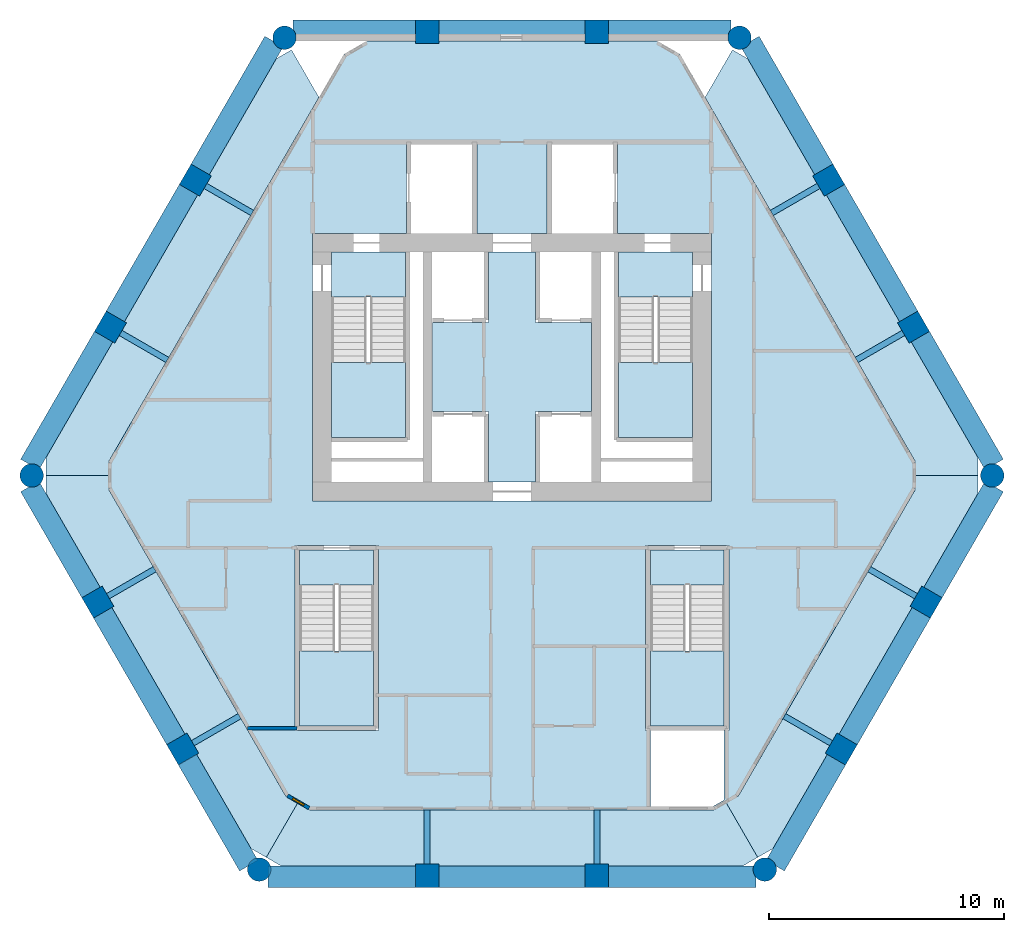
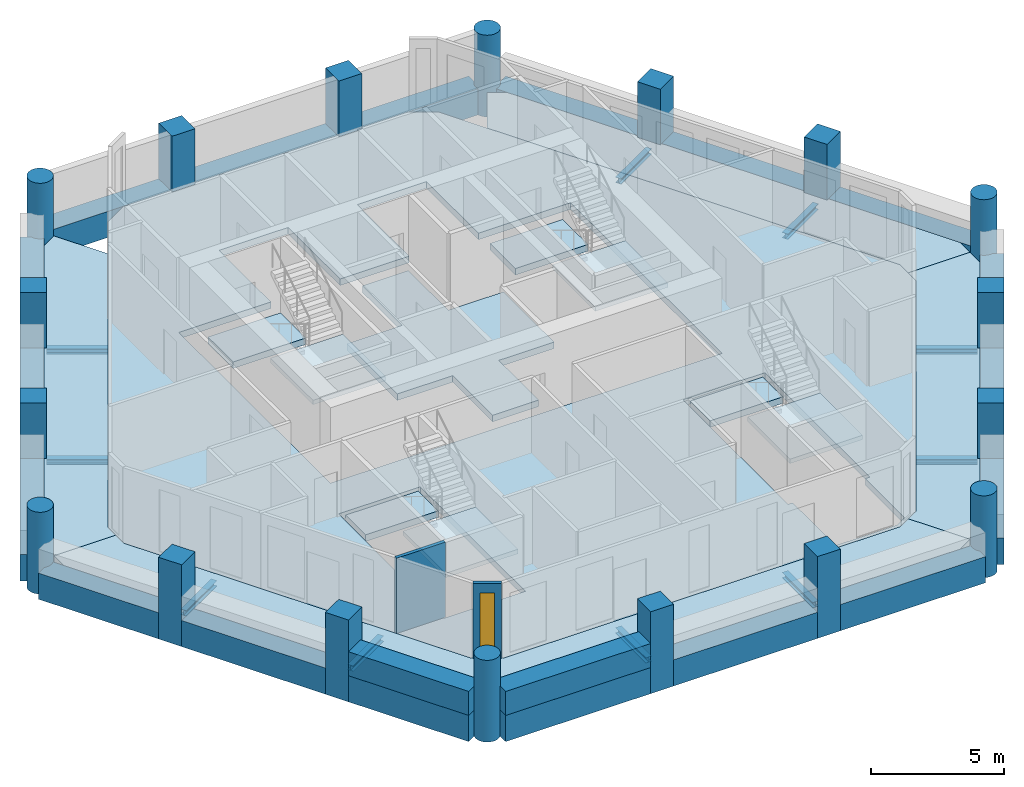
# One storey, part 1 of 7: 28 beams, 18 columns, 15 slabs, 4 walls, 1 window, 1 opening, 4 elements without a shape of their own.
"""IFC4 building model written with IfcOpenShell, lengths in metres."""

from ifc_helpers import new_model, si_unit, direction, frame, frame_2d, origin, origin_2d, place, context, subcontext, project, spatial, polyline, rectangle, circle, i_section, outline, extrude, material, layer, layer_set, material_profile, profile_set, type_object, element, fill, aggregate, save


model = new_model("IFC4")

# Units and contexts
model_context = context("Model", 3, precision=1e-05, world=origin(), true_north=direction((0.0, 1.0)))
body_context = subcontext(model_context, "Body", "Model", "MODEL_VIEW")
ifc_project = project(units=[si_unit("LENGTHUNIT", "METRE"), si_unit("AREAUNIT", "SQUARE_METRE"), si_unit("VOLUMEUNIT", "CUBIC_METRE"), si_unit("PLANEANGLEUNIT", "RADIAN"), si_unit("MASSUNIT", "GRAM", prefix="KILO")], contexts=[model_context])

# Site, building, storey
site_placement = place(None, origin())
site = spatial("IfcSite", under=ifc_project, at=site_placement, CompositionType="ELEMENT")
building_placement = place(site_placement, origin())
building = spatial("IfcBuilding", under=site, at=building_placement, Name="Ostrander Bayou Hotel Tower", CompositionType="ELEMENT")
storey_placement = place(building_placement, frame((0.0, 0.0, 179.5)))
storey = spatial("IfcBuildingStorey", under=building, at=storey_placement, Name="L44", CompositionType="ELEMENT", Elevation=179.5)

# Columns
ifc_material_1 = material(Name="Concrete f'c 60 MPa", Category="concrete")
ifc_material_profile_1 = material_profile(ifc_material_1, circle(Radius=0.5, at=origin_2d()))
ifc_profile_set_1 = profile_set([ifc_material_profile_1], Name="Concrete f'c 60 MPa")
column_type_1 = type_object("IfcColumnType", Name="C5 round column 1000 mm f'c 60 MPa", PredefinedType="COLUMN", material=ifc_profile_set_1)
for number, where, z_axis, x_axis, name in (
    (1, (-9.700439453125, 18.04541015625, -1.199951171875), (0.0, 0.0, 1.0), (1.0, 0.0, 0.0), "C5 L44 K0"),
    (2, (-20.47802734375, -0.621826171875, -1.199951171875), (0.0, 0.0, 1.0), (1.0, 0.0, 0.0), "C5 L44 K1"),
    (3, (-10.777587890625, -17.423583984375, -1.199951171875), (0.0, 0.0, 1.0), (1.0, 0.0, 0.0), "C5 L44 K2"),
    (4, (10.777587890625, -17.423583984375, -1.199951171875), (0.0, 0.0, 1.0), (1.0, 0.0, 0.0), "C5 L44 K3"),
    (5, (20.47802734375, -0.621826171875, -1.199951171875), (0.0, 0.0, 1.0), (1.0, 0.0, 0.0), "C5 L44 K4"),
    (6, (9.700439453125, 18.04541015625, -1.199951171875), (0.0, 0.0, 1.0), (1.0, 0.0, 0.0), "C5 L44 K5"),
):
    element("IfcColumn", number, at=place(storey_placement, frame(where, z_axis=z_axis, x_axis=x_axis)), inside=storey, type_object=column_type_1, Name=name, PredefinedType="COLUMN", context=body_context, shape_type="SweptSolid", body=[
        extrude(circle(Radius=0.5, at=origin_2d()), origin(), (0.0, 0.0, 1.0), 3.75),
    ])
ifc_material_2 = material(Name="Concrete f'c 60 MPa", Category="concrete")
ifc_material_profile_2 = material_profile(ifc_material_2, rectangle(XDim=1.0, YDim=1.0, at=origin_2d()))
ifc_profile_set_2 = profile_set([ifc_material_profile_2], Name="Concrete f'c 60 MPa")
column_type_2 = type_object("IfcColumnType", Name="C6 square column 1000 x 1000 mm f'c 60 MPa", PredefinedType="COLUMN", material=ifc_profile_set_2)
for number, where, z_axis, x_axis, name in (
    (7, (3.6181640625, 18.300048828125, -1.199951171875), (0.0, 0.0, 1.0), (1.0, 0.0, 0.0), "C6 L44 N1"),
    (8, (-3.6181640625, 18.300048828125, -1.199951171875), (0.0, 0.0, 1.0), (1.0, 0.0, 0.0), "C6 L44 N2"),
    (9, (-13.500732421875, 11.972412109375, -1.199951171875), (0.0, 0.0, 1.0), (0.5, 0.866025403784, 0.0), "C6 L44 NW1"),
    (10, (-17.11865234375, 5.705810546875, -1.199951171875), (0.0, 0.0, 1.0), (0.5, 0.866025403784, 0.0), "C6 L44 NW2"),
    (11, (-17.6572265625, -6.0166015625, -1.199951171875), (0.0, 0.0, 1.0), (-0.5, 0.866025403784, 0.0), "C6 L44 SW1"),
    (12, (-14.039306640625, -12.283203125, -1.199951171875), (0.0, 0.0, 1.0), (-0.5, 0.866025403784, 0.0), "C6 L44 SW2"),
    (13, (-3.6181640625, -17.677978515625, -1.199951171875), (0.0, 0.0, 1.0), (-1.0, 0.0, 0.0), "C6 L44 S1"),
    (14, (3.6181640625, -17.677978515625, -1.199951171875), (0.0, 0.0, 1.0), (-1.0, 0.0, 0.0), "C6 L44 S2"),
    (15, (14.039306640625, -12.283203125, -1.199951171875), (0.0, 0.0, 1.0), (-0.5, -0.866025403784, 0.0), "C6 L44 SE1"),
    (16, (17.6572265625, -6.0166015625, -1.199951171875), (0.0, 0.0, 1.0), (-0.5, -0.866025403784, 0.0), "C6 L44 SE2"),
    (17, (17.11865234375, 5.705810546875, -1.199951171875), (0.0, 0.0, 1.0), (0.5, -0.866025403784, 0.0), "C6 L44 NE1"),
    (18, (13.500732421875, 11.972412109375, -1.199951171875), (0.0, 0.0, 1.0), (0.5, -0.866025403784, 0.0), "C6 L44 NE2"),
):
    element("IfcColumn", number, at=place(storey_placement, frame(where, z_axis=z_axis, x_axis=x_axis)), inside=storey, type_object=column_type_2, Name=name, PredefinedType="COLUMN", context=body_context, shape_type="SweptSolid", body=[
        extrude(rectangle(XDim=1.0, YDim=1.0, at=origin_2d()), origin(), (0.0, 0.0, 1.0), 3.75),
    ])

# Beams
ifc_material_3 = material(Name="Steel ASTM A992", Category="steel")
ifc_material_profile_3 = material_profile(ifc_material_3, i_section(OverallWidth=0.25390625, OverallDepth=0.25341796875, WebThickness=0.008544921875, FlangeThickness=0.01416015625, at=origin_2d()))
ifc_profile_set_3 = profile_set([ifc_material_profile_3], Name="Steel ASTM A992")
beam_type_1 = type_object("IfcBeamType", Name="LB2 loggia bracket W10x49", PredefinedType="BEAM", material=ifc_profile_set_3)
for number, where, z_axis, x_axis, name in (
    (19, (-13.067626953125, 11.722412109375, -0.4267578125), (0.866053019151, -0.499952165731, 0.0), (0.499952165731, 0.866053019151, 0.0), "LB2 L44 NW1"),
    (20, (-16.685791015625, 5.455810546875, -0.4267578125), (0.866007057882, -0.500031774688, 0.0), (0.500031774688, 0.866007057882, 0.0), "LB2 L44 NW2"),
    (21, (-17.224365234375, -5.7666015625, -0.4267578125), (0.866053019151, 0.499952165731, 0.0), (-0.499952165731, 0.866053019151, 0.0), "LB2 L44 SW1"),
):
    element("IfcBeam", number, at=place(storey_placement, frame(where, z_axis=z_axis, x_axis=x_axis)), inside=storey, type_object=beam_type_1, Name=name, PredefinedType="BEAM", context=body_context, shape_type="SweptSolid", body=[
        extrude(i_section(OverallWidth=0.25390625, OverallDepth=0.25341796875, WebThickness=0.008544921875, FlangeThickness=0.01416015625, at=origin_2d()), origin(), (0.0, 0.0, 1.0), 2.300048828125),
    ])
for number, where, z_axis, x_axis, name in (
    (22, (-13.606201171875, -12.033203125, -0.4267578125), (0.86602648383, 0.499998129301, 0.0), (-0.499998129301, 0.86602648383, 0.0), "LB2 L44 SW2"),
    (23, (-3.6181640625, -17.177978515625, -0.4267578125), (0.0, 1.0, 0.0), (-1.0, 0.0, 0.0), "LB2 L44 S1"),
    (24, (3.6181640625, -17.177978515625, -0.4267578125), (0.0, 1.0, 0.0), (-1.0, 0.0, 0.0), "LB2 L44 S2"),
    (25, (13.606201171875, -12.033203125, -0.4267578125), (-0.86602648383, 0.499998129301, 0.0), (-0.499998129301, -0.86602648383, 0.0), "LB2 L44 SE1"),
):
    element("IfcBeam", number, at=place(storey_placement, frame(where, z_axis=z_axis, x_axis=x_axis)), inside=storey, type_object=beam_type_1, Name=name, PredefinedType="BEAM", context=body_context, shape_type="SweptSolid", body=[
        extrude(i_section(OverallWidth=0.25390625, OverallDepth=0.25341796875, WebThickness=0.008544921875, FlangeThickness=0.01416015625, at=origin_2d()), origin(), (0.0, 0.0, 1.0), 2.2998046875),
    ])
for number, where, z_axis, x_axis, name in (
    (26, (17.224365234375, -5.7666015625, -0.4267578125), (-0.866053019151, 0.499952165731, 0.0), (-0.499952165731, -0.866053019151, 0.0), "LB2 L44 SE2"),
    (27, (16.685791015625, 5.455810546875, -0.4267578125), (-0.866007057882, -0.500031774688, 0.0), (0.500031774688, -0.866007057882, 0.0), "LB2 L44 NE1"),
    (28, (13.067626953125, 11.722412109375, -0.4267578125), (-0.866053019151, -0.499952165731, 0.0), (0.499952165731, -0.866053019151, 0.0), "LB2 L44 NE2"),
):
    element("IfcBeam", number, at=place(storey_placement, frame(where, z_axis=z_axis, x_axis=x_axis)), inside=storey, type_object=beam_type_1, Name=name, PredefinedType="BEAM", context=body_context, shape_type="SweptSolid", body=[
        extrude(i_section(OverallWidth=0.25390625, OverallDepth=0.25341796875, WebThickness=0.008544921875, FlangeThickness=0.01416015625, at=origin_2d()), origin(), (0.0, 0.0, 1.0), 2.300048828125),
    ])
ifc_material_4 = material(Name="Concrete f'c 60 MPa", Category="concrete")
ifc_material_profile_4 = material_profile(ifc_material_4, rectangle(XDim=0.89990234375, YDim=1.199951171875, at=origin_2d()))
ifc_profile_set_4 = profile_set([ifc_material_profile_4], Name="Concrete f'c 60 MPa")
beam_type_2 = type_object("IfcBeamType", Name="SP3 spandrel beam 900 x 1200 mm f'c 60 MPa", PredefinedType="SPANDREL", material=ifc_profile_set_4)
beam_1_placement = place(storey_placement, frame((9.333984375, 18.35009765625, -0.60009765625), z_axis=(-1.0, 0.0, 0.0), x_axis=(0.0, -1.0, 0.0)))
element("IfcBeam", 29, at=beam_1_placement, inside=storey, type_object=beam_type_2, Name="SP3 L44 N-1", PredefinedType="SPANDREL", context=body_context, shape_type="SweptSolid", body=[
    extrude(rectangle(XDim=0.89990234375, YDim=1.199951171875, at=origin_2d()), origin(), (0.0, 0.0, 1.0), 5.245849609375),
])
beam_2_placement = place(storey_placement, frame((3.148193359375, 18.35009765625, -0.60009765625), z_axis=(-1.0, 0.0, 0.0), x_axis=(0.0, -1.0, 0.0)))
element("IfcBeam", 30, at=beam_2_placement, inside=storey, type_object=beam_type_2, Name="SP3 L44 N-2", PredefinedType="SPANDREL", context=body_context, shape_type="SweptSolid", body=[
    extrude(rectangle(XDim=0.89990234375, YDim=1.199951171875, at=origin_2d()), origin(), (0.0, 0.0, 1.0), 6.29638671875),
])
beam_3_placement = place(storey_placement, frame((-4.088134765625, 18.35009765625, -0.60009765625), z_axis=(-1.0, 0.0, 0.0), x_axis=(0.0, -1.0, 0.0)))
element("IfcBeam", 31, at=beam_3_placement, inside=storey, type_object=beam_type_2, Name="SP3 L44 N-3", PredefinedType="SPANDREL", context=body_context, shape_type="SweptSolid", body=[
    extrude(rectangle(XDim=0.89990234375, YDim=1.199951171875, at=origin_2d()), origin(), (0.0, 0.0, 1.0), 5.245849609375),
])
beam_4_placement = place(storey_placement, frame((-10.1474609375, 17.88037109375, -0.60009765625), z_axis=(-0.500000968981, -0.866024844342, 0.0), x_axis=(0.866024844342, -0.500000968981, 0.0)))
element("IfcBeam", 32, at=beam_4_placement, inside=storey, type_object=beam_type_2, Name="SP3 L44 NW-1", PredefinedType="SPANDREL", context=body_context, shape_type="SweptSolid", body=[
    extrude(rectangle(XDim=0.89990234375, YDim=1.199951171875, at=origin_2d()), origin(), (0.0, 0.0, 1.0), 6.3232421875),
])
beam_5_placement = place(storey_placement, frame((-13.779052734375, 11.59033203125, -0.60009765625), z_axis=(-0.499984268907, -0.866034485945, 0.0), x_axis=(0.866034485945, -0.499984268907, 0.0)))
element("IfcBeam", 33, at=beam_5_placement, inside=storey, type_object=beam_type_2, Name="SP3 L44 NW-2", PredefinedType="SPANDREL", context=body_context, shape_type="SweptSolid", body=[
    extrude(rectangle(XDim=0.89990234375, YDim=1.199951171875, at=origin_2d()), origin(), (0.0, 0.0, 1.0), 6.296142578125),
])
beam_6_placement = place(storey_placement, frame((-17.39697265625, 5.32373046875, -0.60009765625), z_axis=(-0.500017688138, -0.866015191293, 0.0), x_axis=(0.866015191293, -0.500017688138, 0.0)))
element("IfcBeam", 34, at=beam_6_placement, inside=storey, type_object=beam_type_2, Name="SP3 L44 NW-3", PredefinedType="SPANDREL", context=body_context, shape_type="SweptSolid", body=[
    extrude(rectangle(XDim=0.89990234375, YDim=1.199951171875, at=origin_2d()), origin(), (0.0, 0.0, 1.0), 6.322998046875),
])
beam_7_placement = place(storey_placement, frame((-20.55859375, -1.091552734375, -0.60009765625), z_axis=(0.500023253097, -0.866011978186, 0.0), x_axis=(0.866011978186, 0.500023253097, 0.0)))
element("IfcBeam", 35, at=beam_7_placement, inside=storey, type_object=beam_type_2, Name="SP3 L44 SW-1", PredefinedType="SPANDREL", context=body_context, shape_type="SweptSolid", body=[
    extrude(rectangle(XDim=0.89990234375, YDim=1.199951171875, at=origin_2d()), origin(), (0.0, 0.0, 1.0), 5.245849609375),
])
beam_8_placement = place(storey_placement, frame((-17.465576171875, -6.44873046875, -0.60009765625), z_axis=(0.500013351051, -0.866017695414, 0.0), x_axis=(0.866017695414, 0.500013351051, 0.0)))
element("IfcBeam", 36, at=beam_8_placement, inside=storey, type_object=beam_type_2, Name="SP3 L44 SW-2", PredefinedType="SPANDREL", context=body_context, shape_type="SweptSolid", body=[
    extrude(rectangle(XDim=0.89990234375, YDim=1.199951171875, at=origin_2d()), origin(), (0.0, 0.0, 1.0), 6.296142578125),
])
beam_9_placement = place(storey_placement, frame((-13.847412109375, -12.71533203125, -0.60009765625), z_axis=(0.499988348136, -0.866032130887, 0.0), x_axis=(0.866032130887, 0.499988348136, 0.0)))
element("IfcBeam", 37, at=beam_9_placement, inside=storey, type_object=beam_type_2, Name="SP3 L44 SW-3", PredefinedType="SPANDREL", context=body_context, shape_type="SweptSolid", body=[
    extrude(rectangle(XDim=0.89990234375, YDim=1.199951171875, at=origin_2d()), origin(), (0.0, 0.0, 1.0), 5.245849609375),
])
beam_10_placement = place(storey_placement, frame((-10.410888671875, -17.72802734375, -0.60009765625), z_axis=(1.0, 0.0, 0.0), x_axis=(0.0, 1.0, 0.0)))
element("IfcBeam", 38, at=beam_10_placement, inside=storey, type_object=beam_type_2, Name="SP3 L44 S-1", PredefinedType="SPANDREL", context=body_context, shape_type="SweptSolid", body=[
    extrude(rectangle(XDim=0.89990234375, YDim=1.199951171875, at=origin_2d()), origin(), (0.0, 0.0, 1.0), 6.32275390625),
])
beam_11_placement = place(storey_placement, frame((-3.148193359375, -17.72802734375, -0.60009765625), z_axis=(1.0, 0.0, 0.0), x_axis=(0.0, 1.0, 0.0)))
element("IfcBeam", 39, at=beam_11_placement, inside=storey, type_object=beam_type_2, Name="SP3 L44 S-2", PredefinedType="SPANDREL", context=body_context, shape_type="SweptSolid", body=[
    extrude(rectangle(XDim=0.89990234375, YDim=1.199951171875, at=origin_2d()), origin(), (0.0, 0.0, 1.0), 6.29638671875),
])
beam_12_placement = place(storey_placement, frame((4.088134765625, -17.72802734375, -0.60009765625), z_axis=(1.0, 0.0, 0.0), x_axis=(0.0, 1.0, 0.0)))
element("IfcBeam", 40, at=beam_12_placement, inside=storey, type_object=beam_type_2, Name="SP3 L44 S-3", PredefinedType="SPANDREL", context=body_context, shape_type="SweptSolid", body=[
    extrude(rectangle(XDim=0.89990234375, YDim=1.199951171875, at=origin_2d()), origin(), (0.0, 0.0, 1.0), 6.32275390625),
])
beam_13_placement = place(storey_placement, frame((11.224609375, -17.25830078125, -0.60009765625), z_axis=(0.499988348136, 0.866032130887, 0.0), x_axis=(-0.866032130887, 0.499988348136, 0.0)))
element("IfcBeam", 41, at=beam_13_placement, inside=storey, type_object=beam_type_2, Name="SP3 L44 SE-1", PredefinedType="SPANDREL", context=body_context, shape_type="SweptSolid", body=[
    extrude(rectangle(XDim=0.89990234375, YDim=1.199951171875, at=origin_2d()), origin(), (0.0, 0.0, 1.0), 5.245849609375),
])
beam_14_placement = place(storey_placement, frame((14.3173828125, -11.9013671875, -0.60009765625), z_axis=(0.500013351051, 0.866017695414, 0.0), x_axis=(-0.866017695414, 0.500013351051, 0.0)))
element("IfcBeam", 42, at=beam_14_placement, inside=storey, type_object=beam_type_2, Name="SP3 L44 SE-2", PredefinedType="SPANDREL", context=body_context, shape_type="SweptSolid", body=[
    extrude(rectangle(XDim=0.89990234375, YDim=1.199951171875, at=origin_2d()), origin(), (0.0, 0.0, 1.0), 6.296142578125),
])
beam_15_placement = place(storey_placement, frame((17.935546875, -5.634521484375, -0.60009765625), z_axis=(0.500023253097, 0.866011978186, 0.0), x_axis=(-0.866011978186, 0.500023253097, 0.0)))
element("IfcBeam", 43, at=beam_15_placement, inside=storey, type_object=beam_type_2, Name="SP3 L44 SE-3", PredefinedType="SPANDREL", context=body_context, shape_type="SweptSolid", body=[
    extrude(rectangle(XDim=0.89990234375, YDim=1.199951171875, at=origin_2d()), origin(), (0.0, 0.0, 1.0), 5.245849609375),
])
beam_16_placement = place(storey_placement, frame((20.55859375, -0.152099609375, -0.60009765625), z_axis=(-0.500017688138, 0.866015191293, 0.0), x_axis=(-0.866015191293, -0.500017688138, 0.0)))
element("IfcBeam", 44, at=beam_16_placement, inside=storey, type_object=beam_type_2, Name="SP3 L44 NE-1", PredefinedType="SPANDREL", context=body_context, shape_type="SweptSolid", body=[
    extrude(rectangle(XDim=0.89990234375, YDim=1.199951171875, at=origin_2d()), origin(), (0.0, 0.0, 1.0), 6.322998046875),
])
beam_17_placement = place(storey_placement, frame((16.927001953125, 6.1376953125, -0.60009765625), z_axis=(-0.499984268907, 0.866034485945, 0.0), x_axis=(-0.866034485945, -0.499984268907, 0.0)))
element("IfcBeam", 45, at=beam_17_placement, inside=storey, type_object=beam_type_2, Name="SP3 L44 NE-2", PredefinedType="SPANDREL", context=body_context, shape_type="SweptSolid", body=[
    extrude(rectangle(XDim=0.89990234375, YDim=1.199951171875, at=origin_2d()), origin(), (0.0, 0.0, 1.0), 6.296142578125),
])
beam_18_placement = place(storey_placement, frame((13.30908203125, 12.404296875, -0.60009765625), z_axis=(-0.500000968981, 0.866024844342, 0.0), x_axis=(-0.866024844342, -0.500000968981, 0.0)))
element("IfcBeam", 46, at=beam_18_placement, inside=storey, type_object=beam_type_2, Name="SP3 L44 NE-3", PredefinedType="SPANDREL", context=body_context, shape_type="SweptSolid", body=[
    extrude(rectangle(XDim=0.89990234375, YDim=1.199951171875, at=origin_2d()), origin(), (0.0, 0.0, 1.0), 6.3232421875),
])

# Slabs
ifc_material_5 = material(Name="Concrete f'c 40 MPa", Category="concrete")
ifc_layer_1 = layer(ifc_material_5, 0.300048828125)
ifc_layer_set_1 = layer_set([ifc_layer_1], Name="SL1 floor slab 300 mm f'c 40 MPa")
slab_type_1 = type_object("IfcSlabType", Name="SL1 floor slab 300 mm f'c 40 MPa", PredefinedType="FLOOR", material=ifc_layer_set_1)
slab_1_placement = place(storey_placement, frame((0.0, 0.0, -0.300048828125)))
element("IfcSlab", 47, at=slab_1_placement, inside=storey, type_object=slab_type_1, Name="SL1 L44 1", PredefinedType="FLOOR", context=body_context, shape_type="SweptSolid", body=[
    extrude(outline(polyline([(7.191650390625, 17.300048828125), (17.1923828125, -0.02197265625), (17.1923828125, -1.221923828125), (9.654296875, -14.278076171875), (8.614990234375, -14.878173828125), (-8.614990234375, -14.878173828125), (-9.654296875, -14.278076171875), (-17.1923828125, -1.221923828125), (-17.1923828125, -0.02197265625), (-7.191650390625, 17.300048828125), (-6.15234375, 17.89990234375), (6.15234375, 17.89990234375), (7.191650390625, 17.300048828125)]), holes=[polyline([(9.050048828125, -11.5), (9.25, -11.5), (9.25, -3.60009765625), (5.699951171875, -3.60009765625), (5.699951171875, -11.5), (5.89990234375, -11.5), (5.89990234375, -14.72802734375), (8.574951171875, -14.72802734375), (9.050048828125, -14.453857421875), (9.050048828125, -11.5)]), polyline([(-8.5, -1.699951171875), (8.5, -1.699951171875), (8.5, 9.699951171875), (4.5, 9.699951171875), (4.5, 13.60009765625), (1.5, 13.60009765625), (1.5, 9.699951171875), (-1.5, 9.699951171875), (-1.5, 13.60009765625), (-4.5, 13.60009765625), (-4.5, 9.699951171875), (-8.5, 9.699951171875), (-8.5, -1.699951171875)]), polyline([(-5.699951171875, -3.60009765625), (-9.25, -3.60009765625), (-9.25, -11.5), (-5.699951171875, -11.5), (-5.699951171875, -3.60009765625)])]), origin(), (0.0, 0.0, 1.0), 0.300048828125),
])
slab_2_placement = place(storey_placement, frame((0.0, 0.0, -0.300048828125)))
element("IfcSlab", 48, at=slab_2_placement, inside=storey, type_object=slab_type_1, Name="cslab:L44:001", PredefinedType="FLOOR", context=body_context, shape_type="SweptSolid", body=[
    extrude(outline(polyline([(-3.39990234375, 5.89990234375), (-1.0, 5.89990234375), (-1.0, 8.89990234375), (1.0, 8.89990234375), (1.0, 5.89990234375), (3.39990234375, 5.89990234375), (3.39990234375, 2.10009765625), (1.0, 2.10009765625), (1.0, -0.89990234375), (-1.0, -0.89990234375), (-1.0, 2.10009765625), (-3.39990234375, 2.10009765625), (-3.39990234375, 5.89990234375)])), origin(), (0.0, 0.0, 1.0), 0.300048828125),
])
slab_3_placement = place(storey_placement, frame((0.0, 0.0, -0.300048828125)))
element("IfcSlab", 49, at=slab_3_placement, inside=storey, type_object=slab_type_1, Name="cslab:L44:002", PredefinedType="FLOOR", context=body_context, shape_type="SweptSolid", body=[
    extrude(outline(polyline([(-4.550048828125, 7.0), (-4.550048828125, 8.89990234375), (-7.699951171875, 8.89990234375), (-7.699951171875, 7.0), (-4.550048828125, 7.0)])), origin(), (0.0, 0.0, 1.0), 0.300048828125),
])
slab_4_placement = place(storey_placement, frame((0.0, 0.0, -0.300048828125)))
element("IfcSlab", 50, at=slab_4_placement, inside=storey, type_object=slab_type_1, Name="cslab:L44:003", PredefinedType="FLOOR", context=body_context, shape_type="SweptSolid", body=[
    extrude(outline(polyline([(7.699951171875, 7.0), (7.699951171875, 8.89990234375), (4.550048828125, 8.89990234375), (4.550048828125, 7.0), (7.699951171875, 7.0)])), origin(), (0.0, 0.0, 1.0), 0.300048828125),
])
slab_5_placement = place(storey_placement, frame((0.0, 0.0, -0.300048828125)))
element("IfcSlab", 51, at=slab_5_placement, inside=storey, type_object=slab_type_1, Name="cslab:L44:004", PredefinedType="FLOOR", context=body_context, shape_type="SweptSolid", body=[
    extrude(outline(polyline([(9.050048828125, -5.300048828125), (9.050048828125, -3.800048828125), (5.89990234375, -3.800048828125), (5.89990234375, -5.300048828125), (9.050048828125, -5.300048828125)])), origin(), (0.0, 0.0, 1.0), 0.300048828125),
])
slab_6_placement = place(storey_placement, frame((0.0, 0.0, -0.300048828125)))
element("IfcSlab", 52, at=slab_6_placement, inside=storey, type_object=slab_type_1, Name="cslab:L44:005", PredefinedType="FLOOR", context=body_context, shape_type="SweptSolid", body=[
    extrude(outline(polyline([(-5.89990234375, -5.300048828125), (-5.89990234375, -3.800048828125), (-9.050048828125, -3.800048828125), (-9.050048828125, -5.300048828125), (-5.89990234375, -5.300048828125)])), origin(), (0.0, 0.0, 1.0), 0.300048828125),
])
ifc_material_6 = material(Name="Concrete f'c 40 MPa", Category="concrete")
ifc_layer_2 = layer(ifc_material_6, 0.300048828125)
ifc_layer_set_2 = layer_set([ifc_layer_2], Name="SL4 loggia slab 300 mm f'c 40 MPa")
slab_type_2 = type_object("IfcSlabType", Name="SL4 loggia slab 300 mm f'c 40 MPa", PredefinedType="FLOOR", material=ifc_layer_set_2)
slab_7_placement = place(storey_placement, frame((0.0, 0.0, -0.300048828125)))
element("IfcSlab", 53, at=slab_7_placement, inside=storey, type_object=slab_type_2, Name="SL4 LOGGIA L44 NW 1", PredefinedType="FLOOR", context=body_context, shape_type="SweptSolid", body=[
    extrude(outline(polyline([(-19.877197265625, -0.621826171875), (-19.877197265625, 0.128173828125), (-10.049560546875, 17.14990234375), (-9.39990234375, 17.52490234375), (-8.23095703125, 15.5), (-17.1923828125, -0.02197265625), (-17.1923828125, -0.621826171875), (-19.877197265625, -0.621826171875)])), origin(), (0.0, 0.0, 1.0), 0.300048828125),
])
slab_8_placement = place(storey_placement, frame((0.0, 0.0, -0.300048828125)))
element("IfcSlab", 54, at=slab_8_placement, inside=storey, type_object=slab_type_2, Name="SL4 LOGGIA L44 SW 1", PredefinedType="FLOOR", context=body_context, shape_type="SweptSolid", body=[
    extrude(outline(polyline([(-9.134765625, -14.578125), (-10.47705078125, -16.903076171875), (-11.126708984375, -16.528076171875), (-12.369873046875, -14.374755859375), (-17.5458984375, -5.40966796875), (-18.22509765625, -4.233154296875), (-19.877197265625, -1.371826171875), (-19.877197265625, -0.621826171875), (-17.1923828125, -0.621826171875), (-17.1923828125, -1.221923828125), (-9.654296875, -14.278076171875), (-9.134765625, -14.578125)])), origin(), (0.0, 0.0, 1.0), 0.300048828125),
])
slab_9_placement = place(storey_placement, frame((0.0, 0.0, -0.300048828125)))
element("IfcSlab", 55, at=slab_9_placement, inside=storey, type_object=slab_type_2, Name="SL4 LOGGIA L44 S 1", PredefinedType="FLOOR", context=body_context, shape_type="SweptSolid", body=[
    extrude(outline(polyline([(9.134765625, -14.578125), (10.47705078125, -16.903076171875), (9.82763671875, -17.278076171875), (4.088134765625, -17.278076171875), (3.148193359375, -17.278076171875), (-3.148193359375, -17.278076171875), (-4.088134765625, -17.278076171875), (-9.82763671875, -17.278076171875), (-10.47705078125, -16.903076171875), (-9.134765625, -14.578125), (-8.614990234375, -14.878173828125), (8.614990234375, -14.878173828125), (9.134765625, -14.578125)])), origin(), (0.0, 0.0, 1.0), 0.300048828125),
])
slab_10_placement = place(storey_placement, frame((0.0, 0.0, -0.300048828125)))
element("IfcSlab", 56, at=slab_10_placement, inside=storey, type_object=slab_type_2, Name="SL4 LOGGIA L44 SE 1", PredefinedType="FLOOR", context=body_context, shape_type="SweptSolid", body=[
    extrude(outline(polyline([(17.1923828125, -0.621826171875), (19.877197265625, -0.621826171875), (19.877197265625, -1.371826171875), (17.5458984375, -5.40966796875), (17.075927734375, -6.2236328125), (14.38671875, -10.881591796875), (13.457763671875, -12.490478515625), (11.126708984375, -16.528076171875), (10.47705078125, -16.903076171875), (9.134765625, -14.578125), (9.654296875, -14.278076171875), (17.1923828125, -1.221923828125), (17.1923828125, -0.621826171875)])), origin(), (0.0, 0.0, 1.0), 0.300048828125),
])
slab_11_placement = place(storey_placement, frame((0.0, 0.0, -0.300048828125)))
element("IfcSlab", 57, at=slab_11_placement, inside=storey, type_object=slab_type_2, Name="SL4 LOGGIA L44 NE 1", PredefinedType="FLOOR", context=body_context, shape_type="SweptSolid", body=[
    extrude(outline(polyline([(9.39990234375, 17.52490234375), (10.049560546875, 17.14990234375), (15.483642578125, 7.73779296875), (16.537353515625, 5.912841796875), (17.00732421875, 5.0986328125), (19.877197265625, 0.128173828125), (19.877197265625, -0.621826171875), (17.1923828125, -0.621826171875), (17.1923828125, -0.02197265625), (8.23095703125, 15.5), (9.39990234375, 17.52490234375)])), origin(), (0.0, 0.0, 1.0), 0.300048828125),
])

# Stair, slab
ifc_material_7 = material(Name="Concrete f'c 45 MPa", Category="concrete")
stair_type = type_object("IfcStairType", Name="ST1 exit stair 1500 mm f'c 45 MPa", PredefinedType="HALF_TURN_STAIR", material=ifc_material_7)
stair_1_placement = place(storey_placement, origin())
stair_1 = element("IfcStair", 58, at=stair_1_placement, inside=storey, type_object=stair_type, Name="L44 exit stair A", PredefinedType="HALF_TURN_STAIR")
ifc_material_8 = material(Name="Concrete f'c 45 MPa", Category="concrete")
ifc_layer_3 = layer(ifc_material_8, 0.199951171875)
ifc_layer_set_3 = layer_set([ifc_layer_3], Name="SL8 stair landing 200 mm f'c 45 MPa")
slab_type_3 = type_object("IfcSlabType", Name="SL8 stair landing 200 mm f'c 45 MPa", PredefinedType="LANDING", material=ifc_layer_set_3)
slab_12_placement = place(storey_placement, frame((0.0, 0.0, 1.675048828125)))
slab_12 = element("IfcSlab", 59, at=slab_12_placement, type_object=slab_type_3, Name="STA landing 1", PredefinedType="LANDING", context=body_context, shape_type="SweptSolid", body=[
    extrude(outline(polyline([(-7.699951171875, 4.199951171875), (-7.699951171875, 1.0), (-4.550048828125, 1.0), (-4.550048828125, 4.199951171875), (-7.699951171875, 4.199951171875)])), origin(), (0.0, 0.0, 1.0), 0.199951171875),
])
aggregate(stair_1, [slab_12])

stair_2_placement = place(storey_placement, origin())
stair_2 = element("IfcStair", 60, at=stair_2_placement, inside=storey, type_object=stair_type, Name="L44 exit stair B", PredefinedType="HALF_TURN_STAIR")
slab_13_placement = place(storey_placement, frame((0.0, 0.0, 1.675048828125)))
slab_13 = element("IfcSlab", 61, at=slab_13_placement, type_object=slab_type_3, Name="STB landing 1", PredefinedType="LANDING", context=body_context, shape_type="SweptSolid", body=[
    extrude(outline(polyline([(4.550048828125, 4.199951171875), (4.550048828125, 1.0), (7.699951171875, 1.0), (7.699951171875, 4.199951171875), (4.550048828125, 4.199951171875)])), origin(), (0.0, 0.0, 1.0), 0.199951171875),
])
aggregate(stair_2, [slab_13])

stair_3_placement = place(storey_placement, origin())
stair_3 = element("IfcStair", 62, at=stair_3_placement, inside=storey, type_object=stair_type, Name="L44 exit stair C", PredefinedType="HALF_TURN_STAIR")
slab_14_placement = place(storey_placement, frame((0.0, 0.0, 1.675048828125)))
slab_14 = element("IfcSlab", 63, at=slab_14_placement, type_object=slab_type_3, Name="STC landing 1", PredefinedType="LANDING", context=body_context, shape_type="SweptSolid", body=[
    extrude(outline(polyline([(5.89990234375, -8.10009765625), (5.89990234375, -11.300048828125), (9.050048828125, -11.300048828125), (9.050048828125, -8.10009765625), (5.89990234375, -8.10009765625)])), origin(), (0.0, 0.0, 1.0), 0.199951171875),
])
aggregate(stair_3, [slab_14])

stair_4_placement = place(storey_placement, origin())
stair_4 = element("IfcStair", 64, at=stair_4_placement, inside=storey, type_object=stair_type, Name="L44 exit stair D", PredefinedType="HALF_TURN_STAIR")
slab_15_placement = place(storey_placement, frame((0.0, 0.0, 1.675048828125)))
slab_15 = element("IfcSlab", 65, at=slab_15_placement, type_object=slab_type_3, Name="STD landing 1", PredefinedType="LANDING", context=body_context, shape_type="SweptSolid", body=[
    extrude(outline(polyline([(-9.050048828125, -8.10009765625), (-9.050048828125, -11.300048828125), (-5.89990234375, -11.300048828125), (-5.89990234375, -8.10009765625), (-9.050048828125, -8.10009765625)])), origin(), (0.0, 0.0, 1.0), 0.199951171875),
])
aggregate(stair_4, [slab_15])

# Wall, opening, window
ifc_material_9 = material(Name="Aluminium framed insulated wall", Category="aluminium")
ifc_layer_4 = layer(ifc_material_9, 0.14990234375)
ifc_layer_set_4 = layer_set([ifc_layer_4], Name="GW1 glass-line wall 150 mm")
wall_type_1 = type_object("IfcWallType", Name="GW1 glass-line wall 150 mm", PredefinedType="SOLIDWALL", material=ifc_layer_set_4)
wall_1_placement = place(storey_placement, frame((-9.572021484375, -14.2705078125, 0.0), z_axis=(0.0, 0.0, 1.0), x_axis=(0.865990848561, -0.500059846627, 0.0)))
wall_1 = element("IfcWall", 66, at=wall_1_placement, inside=storey, type_object=wall_type_1, Name="GW1 L44 corner 3", PredefinedType="SOLIDWALL", context=body_context, shape_type="SweptSolid", body=[
    extrude(rectangle(XDim=1.064697265625, YDim=0.14990234375, at=frame_2d((0.5322265625, 0.0))), origin(), (0.0, 0.0, 1.0), 3.449951171875),
])
opening_placement = place(wall_1_placement, frame((0.257568359375, 0.0, 0.14990234375)))
opening = element("IfcOpeningElement", 67, at=opening_placement, cuts=wall_1, Name="Opening W19", PredefinedType="OPENING", context=body_context, shape_type="SweptSolid", body=[
    extrude(rectangle(XDim=0.550048828125, YDim=2.85009765625, at=frame_2d((0.27490234375, 1.425048828125))), frame((0.0, 0.074951171875, 0.0), z_axis=(0.0, -1.0, 0.0), x_axis=(1.0, 0.0, 0.0)), (0.0, 0.0, 1.0), 0.14990234375),
])
ifc_material_10 = material(Name="Aluminium and clear glass", Category="aluminium")
window_type = type_object("IfcWindowType", Name="W19 corner window 550 mm", PartitioningType="SINGLE_PANEL", PredefinedType="WINDOW", material=ifc_material_10)
window_placement = place(opening_placement, origin())
window = element("IfcWindow", 68, at=window_placement, inside=storey, type_object=window_type, Name="W19 L44 corner 3", OverallHeight=2.85009765625, OverallWidth=0.550048828125, PartitioningType="SINGLE_PANEL", PredefinedType="WINDOW", context=body_context, shape_type="SweptSolid", body=[
    extrude(rectangle(XDim=0.550048828125, YDim=2.85009765625, at=frame_2d((0.27490234375, 1.425048828125))), frame((0.0, 0.030029296875, 0.0), z_axis=(0.0, -1.0, 0.0), x_axis=(1.0, 0.0, 0.0)), (0.0, 0.0, 1.0), 0.06005859375),
])
fill(opening, window)

# Walls
ifc_material_11 = material(Name="Concrete f'c 40 MPa", Category="concrete")
ifc_layer_5 = layer(ifc_material_11, 0.89990234375)
ifc_layer_set_5 = layer_set([ifc_layer_5], Name="PA1 stone-faced parapet 900 mm")
wall_type_2 = type_object("IfcWallType", Name="PA1 stone-faced parapet 900 mm", PredefinedType="PARAPET", material=ifc_layer_set_5)
wall_2_placement = place(storey_placement, frame((-10.410888671875, -17.72802734375, 0.0), z_axis=(0.0, 0.0, 1.0), x_axis=(1.0, 0.0, 0.0)))
element("IfcWall", 69, at=wall_2_placement, inside=storey, type_object=wall_type_2, Name="PA1 L44 S-1", PredefinedType="PARAPET", context=body_context, shape_type="SweptSolid", body=[
    extrude(rectangle(XDim=6.32275390625, YDim=0.89990234375, at=frame_2d((3.161376953125, 0.0))), origin(), (0.0, 0.0, 1.0), 1.10009765625),
])
ifc_material_12 = material(Name="Limestone masonry", Category="masonry")
ifc_layer_6 = layer(ifc_material_12, 0.89990234375)
ifc_layer_set_6 = layer_set([ifc_layer_6], Name="PA2 limestone parapet 900 mm")
wall_type_3 = type_object("IfcWallType", Name="PA2 limestone parapet 900 mm", PredefinedType="PARAPET", material=ifc_layer_set_6)
wall_3_placement = place(storey_placement, frame((-13.847412109375, -12.71533203125, 0.0), z_axis=(0.0, 0.0, 1.0), x_axis=(0.499988348136, -0.866032130887, 0.0)))
element("IfcWall", 70, at=wall_3_placement, inside=storey, type_object=wall_type_3, Name="PA2 L44 SW-3", PredefinedType="PARAPET", context=body_context, shape_type="SweptSolid", body=[
    extrude(rectangle(XDim=5.245849609375, YDim=0.89990234375, at=frame_2d((2.623046875, 0.0))), origin(), (0.0, 0.0, 1.0), 1.10009765625),
])
ifc_material_13 = material(Name="Gypsum board partition", Category="finish")
ifc_layer_7 = layer(ifc_material_13, 0.14990234375)
ifc_layer_set_7 = layer_set([ifc_layer_7], Name="PT8 service band wall 150 mm, 1 hour")
wall_type_4 = type_object("IfcWallType", Name="PT8 service band wall 150 mm, 1 hour", PredefinedType="PARTITIONING", material=ifc_layer_set_7)
wall_4_placement = place(storey_placement, frame((-11.281005859375, -11.39990234375, 0.0), z_axis=(0.0, 0.0, 1.0), x_axis=(1.0, 0.0, 0.0)))
element("IfcWall", 71, at=wall_4_placement, inside=storey, type_object=wall_type_4, Name="gw:L44:002", PredefinedType="PARTITIONING", context=body_context, shape_type="SweptSolid", body=[
    extrude(rectangle(XDim=2.12109375, YDim=0.14990234375, at=frame_2d((1.060546875, 0.0))), origin(), (0.0, 0.0, 1.0), 3.449951171875),
])

save(model, "model.ifc")
